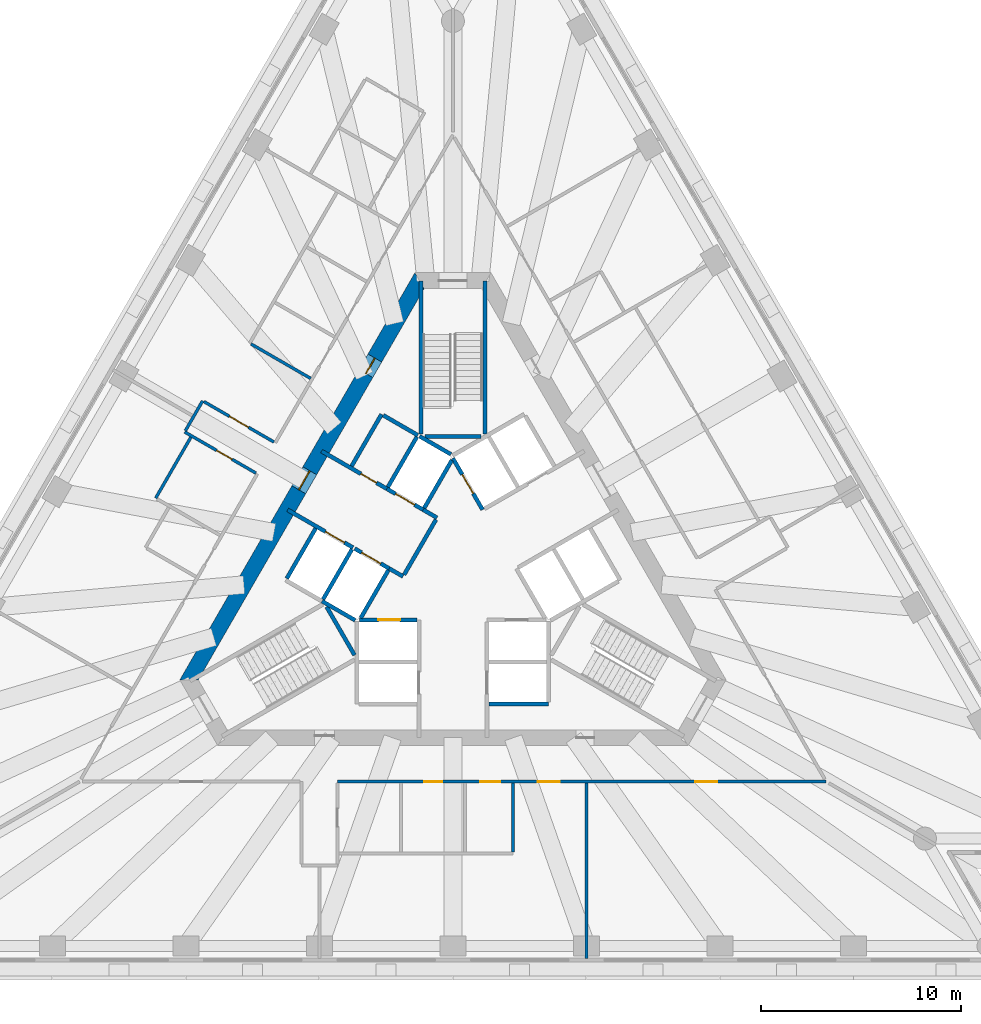
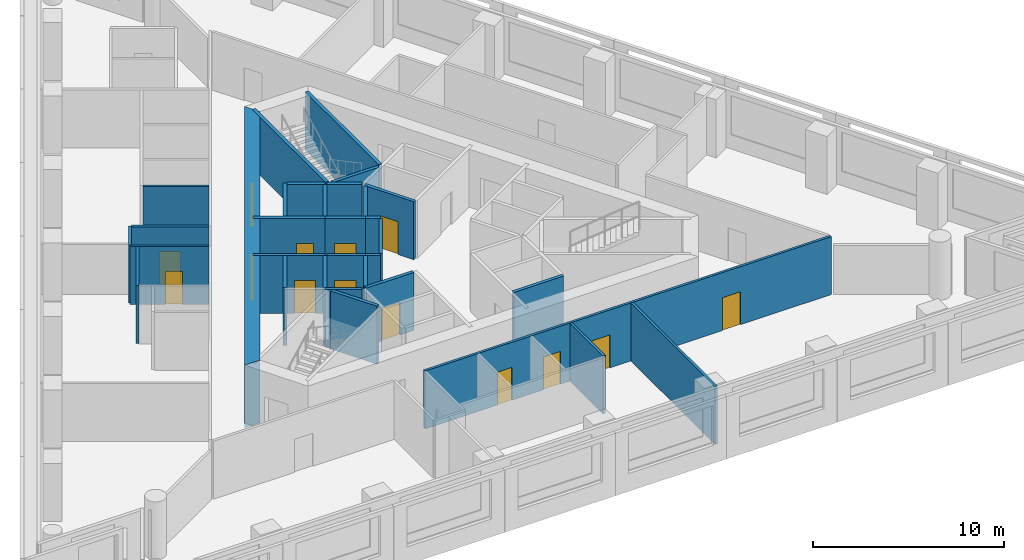
# One storey, part 4 of 9: 32 walls, 14 doors, 14 openings.
"""IFC4 building model written with IfcOpenShell, lengths in metres."""

from ifc_helpers import new_model, si_unit, direction, frame, frame_2d, origin, place, context, subcontext, project, spatial, polyline, rectangle, outline, extrude, material, layer, layer_set, type_object, element, fill, save


model = new_model("IFC4")

# Units and contexts
model_context = context("Model", 3, precision=1e-05, world=origin(), true_north=direction((0.0, 1.0)))
body_context = subcontext(model_context, "Body", "Model", "MODEL_VIEW")
ifc_project = project(units=[si_unit("LENGTHUNIT", "METRE"), si_unit("AREAUNIT", "SQUARE_METRE"), si_unit("VOLUMEUNIT", "CUBIC_METRE"), si_unit("PLANEANGLEUNIT", "RADIAN"), si_unit("MASSUNIT", "GRAM", prefix="KILO")], contexts=[model_context])

# Site, building, storey
site_placement = place(None, origin())
site = spatial("IfcSite", under=ifc_project, at=site_placement, CompositionType="ELEMENT")
building_placement = place(site_placement, origin())
building = spatial("IfcBuilding", under=site, at=building_placement, Name="Triada Interchange Tower", CompositionType="ELEMENT")
storey_placement = place(building_placement, frame((0.0, 0.0, 140.300048828125)))
storey = spatial("IfcBuildingStorey", under=building, at=storey_placement, Name="L32", CompositionType="ELEMENT", Elevation=140.300048828125)

# Walls
ifc_material_1 = material(Name="Concrete C30/37", Category="concrete")
ifc_layer_1 = layer(ifc_material_1, 0.199951171875)
ifc_layer_set_1 = layer_set([ifc_layer_1], Name="CORE WALL 200 EI 120")
wall_type_1 = type_object("IfcWallType", Name="CORE WALL 200 EI 120", PredefinedType="SOLIDWALL", material=ifc_layer_set_1)
wall_1_placement = place(storey_placement, frame((-8.325927734375, -0.6201171875, 0.0), z_axis=(0.0, 0.0, 1.0), x_axis=(0.500023687443, 0.866011727401, 0.0)))
element("IfcWall", 1, at=wall_1_placement, inside=storey, type_object=wall_type_1, Name="Wall L32 47", PredefinedType="SOLIDWALL", context=body_context, shape_type="SweptSolid", body=[
    extrude(rectangle(XDim=2.899658203125, YDim=0.199951171875, at=frame_2d((1.44970703125, 0.0))), origin(), (0.0, 0.0, 1.0), 3.699951171875),
])
wall_2_placement = place(storey_placement, frame((1.800048828125, -6.89990234375, 0.0), z_axis=(0.0, 0.0, 1.0), x_axis=(1.0, 0.0, 0.0)))
element("IfcWall", 2, at=wall_2_placement, inside=storey, type_object=wall_type_1, Name="Wall L32 52", PredefinedType="SOLIDWALL", context=body_context, shape_type="SweptSolid", body=[
    extrude(rectangle(XDim=3.0, YDim=0.199951171875, at=frame_2d((1.5, 0.0))), origin(), (0.0, 0.0, 1.0), 3.699951171875),
])

# Wall, opening, door
wall_3_placement = place(storey_placement, frame((-4.676025390625, -2.699951171875, 0.0), z_axis=(0.0, 0.0, 1.0), x_axis=(1.0, 0.0, 0.0)))
wall_3 = element("IfcWall", 3, at=wall_3_placement, inside=storey, type_object=wall_type_1, Name="Wall L32 54", PredefinedType="SOLIDWALL", context=body_context, shape_type="SweptSolid", body=[
    extrude(rectangle(XDim=2.873046875, YDim=0.199951171875, at=frame_2d((1.4365234375, 0.0))), origin(), (0.0, 0.0, 1.0), 3.699951171875),
])
opening_1_placement = place(wall_3_placement, frame((0.93701171875, 0.0, 0.0)))
opening_1 = element("IfcOpeningElement", 4, at=opening_1_placement, cuts=wall_3, Name="Opening LD-LR3", PredefinedType="OPENING", context=body_context, shape_type="SweptSolid", body=[
    extrude(rectangle(XDim=1.10009765625, YDim=2.10009765625, at=frame_2d((0.550048828125, 1.050048828125))), frame((0.0, 0.10986328125, 0.0), z_axis=(0.0, -1.0, 0.0), x_axis=(1.0, 0.0, 0.0)), (0.0, 0.0, 1.0), 0.219970703125),
])
ifc_material_2 = material(Name="Steel S235 door leaf", Category="steel")
door_type_1 = type_object("IfcDoorType", Name="LIFT LANDING DOOR 1100 EI 120", OperationType="SLIDING_TO_LEFT", PredefinedType="DOOR", material=ifc_material_2)
door_1_placement = place(opening_1_placement, origin())
door_1 = element("IfcDoor", 5, at=door_1_placement, inside=storey, type_object=door_type_1, Name="LR3 landing door L32", OperationType="SLIDING_TO_LEFT", OverallHeight=2.10009765625, OverallWidth=1.10009765625, PredefinedType="DOOR", context=body_context, shape_type="SweptSolid", body=[
    extrude(rectangle(XDim=1.10009765625, YDim=2.10009765625, at=frame_2d((0.550048828125, 1.050048828125))), frame((0.0, 0.02490234375, 0.0), z_axis=(0.0, -1.0, 0.0), x_axis=(1.0, 0.0, 0.0)), (0.0, 0.0, 1.0), 0.050048828125),
])
fill(opening_1, door_1)

wall_4_placement = place(storey_placement, frame((0.0, 5.39990234375, 0.0), z_axis=(0.0, 0.0, 1.0), x_axis=(0.500103862429, -0.865965430478, 0.0)))
wall_4 = element("IfcWall", 6, at=wall_4_placement, inside=storey, type_object=wall_type_1, Name="Wall L32 57", PredefinedType="SOLIDWALL", context=body_context, shape_type="SweptSolid", body=[
    extrude(rectangle(XDim=2.973388671875, YDim=0.199951171875, at=frame_2d((1.48681640625, 0.0))), origin(), (0.0, 0.0, 1.0), 3.699951171875),
])
opening_2_placement = place(wall_4_placement, frame((0.93701171875, 0.0, 0.0)))
opening_2 = element("IfcOpeningElement", 7, at=opening_2_placement, cuts=wall_4, Name="Opening LD-LR5", PredefinedType="OPENING", context=body_context, shape_type="SweptSolid", body=[
    extrude(rectangle(XDim=1.10009765625, YDim=2.10009765625, at=frame_2d((0.550048828125, 1.050048828125))), frame((0.0, 0.10986328125, 0.0), z_axis=(0.0, -1.0, 0.0), x_axis=(1.0, 0.0, 0.0)), (0.0, 0.0, 1.0), 0.219970703125),
])
door_2_placement = place(opening_2_placement, origin())
door_2 = element("IfcDoor", 8, at=door_2_placement, inside=storey, type_object=door_type_1, Name="LR5 landing door L32", OperationType="SLIDING_TO_LEFT", OverallHeight=2.10009765625, OverallWidth=1.10009765625, PredefinedType="DOOR", context=body_context, shape_type="SweptSolid", body=[
    extrude(rectangle(XDim=1.10009765625, YDim=2.10009765625, at=frame_2d((0.550048828125, 1.050048828125))), frame((0.0, 0.02490234375, 0.0), z_axis=(0.0, -1.0, 0.0), x_axis=(1.0, 0.0, 0.0)), (0.0, 0.0, 1.0), 0.050048828125),
])
fill(opening_2, door_2)

ifc_layer_2 = layer(ifc_material_1, 0.199951171875)
ifc_layer_set_2 = layer_set([ifc_layer_2], Name="CORE WALL 200 EI 180")
wall_type_2 = type_object("IfcWallType", Name="CORE WALL 200 EI 180", PredefinedType="SOLIDWALL", material=ifc_layer_set_2)
wall_5_placement = place(storey_placement, frame((-8.280029296875, 2.818115234375, 0.0), z_axis=(0.0, 0.0, 1.0), x_axis=(0.86600175068, -0.50004096614, 0.0)))
wall_5 = element("IfcWall", 9, at=wall_5_placement, inside=storey, type_object=wall_type_2, Name="Wall L32 68", PredefinedType="SOLIDWALL", context=body_context, shape_type="SweptSolid", body=[
    extrude(rectangle(XDim=3.781982421875, YDim=0.199951171875, at=frame_2d((1.89111328125, 0.0))), origin(), (0.0, 0.0, 1.0), 3.699951171875),
])
opening_3_placement = place(wall_5_placement, frame((2.179931640625, 0.0, 0.0)))
opening_3 = element("IfcOpeningElement", 10, at=opening_3_placement, cuts=wall_5, Name="Opening LD-SV1", PredefinedType="OPENING", context=body_context, shape_type="SweptSolid", body=[
    extrude(rectangle(XDim=1.10009765625, YDim=2.10009765625, at=frame_2d((0.550048828125, 1.050048828125))), frame((0.0, 0.10986328125, 0.0), z_axis=(0.0, -1.0, 0.0), x_axis=(1.0, 0.0, 0.0)), (0.0, 0.0, 1.0), 0.219970703125),
])
door_3_placement = place(opening_3_placement, origin())
door_3 = element("IfcDoor", 11, at=door_3_placement, inside=storey, type_object=door_type_1, Name="SV1 landing door L32", OperationType="SLIDING_TO_LEFT", OverallHeight=2.10009765625, OverallWidth=1.10009765625, PredefinedType="DOOR", context=body_context, shape_type="SweptSolid", body=[
    extrude(rectangle(XDim=1.10009765625, YDim=2.10009765625, at=frame_2d((0.550048828125, 1.050048828125))), frame((0.0, 0.02490234375, 0.0), z_axis=(0.0, -1.0, 0.0), x_axis=(1.0, 0.0, 0.0)), (0.0, 0.0, 1.0), 0.050048828125),
])
fill(opening_3, door_3)

# Wall
wall_6_placement = place(storey_placement, frame((-3.18798828125, -0.1220703125, 0.0), z_axis=(0.0, 0.0, 1.0), x_axis=(0.865705793592, -0.50055317294, 0.0)))
element("IfcWall", 12, at=wall_6_placement, inside=storey, type_object=wall_type_2, Name="Wall L32 69", PredefinedType="SOLIDWALL", context=body_context, shape_type="SweptSolid", body=[
    extrude(rectangle(XDim=0.796875, YDim=0.199951171875, at=frame_2d((0.3984375, 0.0))), origin(), (0.0, 0.0, 1.0), 3.699951171875),
])

# Wall, opening, door
wall_7_placement = place(storey_placement, frame((-6.580078125, 5.761962890625, 0.0), z_axis=(0.0, 0.0, 1.0), x_axis=(0.866029704776, -0.49999255039, 0.0)))
wall_7 = element("IfcWall", 13, at=wall_7_placement, inside=storey, type_object=wall_type_2, Name="Wall L32 70", PredefinedType="SOLIDWALL", context=body_context, shape_type="SweptSolid", body=[
    extrude(rectangle(XDim=3.78173828125, YDim=0.199951171875, at=frame_2d((1.890869140625, 0.0))), origin(), (0.0, 0.0, 1.0), 3.699951171875),
])
opening_4_placement = place(wall_7_placement, frame((2.279052734375, 0.0, 0.0)))
opening_4 = element("IfcOpeningElement", 14, at=opening_4_placement, cuts=wall_7, Name="Opening D32-10", PredefinedType="OPENING", context=body_context, shape_type="SweptSolid", body=[
    extrude(rectangle(XDim=0.89990234375, YDim=2.10009765625, at=frame_2d((0.449951171875, 1.050048828125))), frame((0.0, 0.10986328125, 0.0), z_axis=(0.0, -1.0, 0.0), x_axis=(1.0, 0.0, 0.0)), (0.0, 0.0, 1.0), 0.219970703125),
])
door_type_2 = type_object("IfcDoorType", Name="SERVICE DOOR 900 EI2 90-C5S200", OperationType="NOTDEFINED", PredefinedType="DOOR", material=ifc_material_2)
door_4_placement = place(opening_4_placement, origin())
door_4 = element("IfcDoor", 15, at=door_4_placement, inside=storey, type_object=door_type_2, Name="Door D32-10 L32", OperationType="SINGLE_SWING_LEFT", OverallHeight=2.10009765625, OverallWidth=0.89990234375, PredefinedType="DOOR", context=body_context, shape_type="SweptSolid", body=[
    extrude(rectangle(XDim=0.89990234375, YDim=2.10009765625, at=frame_2d((0.449951171875, 1.050048828125))), frame((0.0, 0.02490234375, 0.0), z_axis=(0.0, -1.0, 0.0), x_axis=(1.0, 0.0, 0.0)), (0.0, 0.0, 1.0), 0.050048828125),
])
fill(opening_4, door_4)

# Walls
wall_8_placement = place(storey_placement, frame((-1.488037109375, 2.822021484375, 0.0), z_axis=(0.0, 0.0, 1.0), x_axis=(0.866236612152, -0.499633997809, 0.0)))
element("IfcWall", 16, at=wall_8_placement, inside=storey, type_object=wall_type_2, Name="Wall L32 71", PredefinedType="SOLIDWALL", context=body_context, shape_type="SweptSolid", body=[
    extrude(rectangle(XDim=0.79638671875, YDim=0.199951171875, at=frame_2d((0.398193359375, 0.0))), origin(), (0.0, 0.0, 1.0), 3.699951171875),
])
wall_9_placement = place(storey_placement, frame((-5.075927734375, 5.009033203125, 0.0), z_axis=(0.0, 0.0, 1.0), x_axis=(0.50002537861, 0.866010750942, 0.0)))
element("IfcWall", 17, at=wall_9_placement, inside=storey, type_object=wall_type_2, Name="Wall L32 72", PredefinedType="SOLIDWALL", context=body_context, shape_type="SweptSolid", body=[
    extrude(rectangle(XDim=2.999755859375, YDim=0.199951171875, at=frame_2d((1.5, 0.0))), origin(), (0.0, 0.0, 1.0), 3.699951171875),
])
wall_10_placement = place(storey_placement, frame((-3.489013671875, 7.556884765625, 0.0), z_axis=(0.0, 0.0, 1.0), x_axis=(0.866010750942, -0.50002537861, 0.0)))
element("IfcWall", 18, at=wall_10_placement, inside=storey, type_object=wall_type_2, Name="Wall L32 73", PredefinedType="SOLIDWALL", context=body_context, shape_type="SweptSolid", body=[
    extrude(rectangle(XDim=2.0, YDim=0.199951171875, at=frame_2d((1.0, 0.0))), origin(), (0.0, 0.0, 1.0), 3.699951171875),
])
wall_11_placement = place(storey_placement, frame((-2.444091796875, -0.43310546875, 0.0), z_axis=(0.0, 0.0, 1.0), x_axis=(0.500035624827, 0.866004834804, 0.0)))
element("IfcWall", 19, at=wall_11_placement, inside=storey, type_object=wall_type_2, Name="Wall L32 74", PredefinedType="SOLIDWALL", context=body_context, shape_type="SweptSolid", body=[
    extrude(rectangle(XDim=3.194091796875, YDim=0.199951171875, at=frame_2d((1.59716796875, 0.0))), origin(), (0.0, 0.0, 1.0), 3.699951171875),
])
wall_12_placement = place(storey_placement, frame((-6.556884765625, -1.757080078125, 0.0), z_axis=(0.0, 0.0, 1.0), x_axis=(0.8659754619, -0.500086491905, 0.0)))
element("IfcWall", 20, at=wall_12_placement, inside=storey, type_object=wall_type_2, Name="Shaft wall FF1 L32 75", PredefinedType="SOLIDWALL", context=body_context, shape_type="SweptSolid", body=[
    extrude(rectangle(XDim=1.915771484375, YDim=0.199951171875, at=frame_2d((0.9580078125, 0.0))), origin(), (0.0, 0.0, 1.0), 3.699951171875),
])
wall_13_placement = place(storey_placement, frame((-6.507080078125, -1.669921875, 0.0), z_axis=(0.0, 0.0, 1.0), x_axis=(0.50012328804, 0.865954211699, 0.0)))
element("IfcWall", 21, at=wall_13_placement, inside=storey, type_object=wall_type_2, Name="Shaft wall FF1 L32 76", PredefinedType="SOLIDWALL", context=body_context, shape_type="SweptSolid", body=[
    extrude(rectangle(XDim=2.899658203125, YDim=0.199951171875, at=frame_2d((1.44970703125, 0.0))), origin(), (0.0, 0.0, 1.0), 3.699951171875),
])

# Wall, opening, door
wall_14_placement = place(storey_placement, frame((-4.919921875, 0.8779296875, 0.0), z_axis=(0.0, 0.0, 1.0), x_axis=(0.866010750942, -0.50002537861, 0.0)))
wall_14 = element("IfcWall", 22, at=wall_14_placement, inside=storey, type_object=wall_type_2, Name="Shaft wall FF1 L32 77", PredefinedType="SOLIDWALL", context=body_context, shape_type="SweptSolid", body=[
    extrude(rectangle(XDim=2.0, YDim=0.199951171875, at=frame_2d((1.0, 0.0))), origin(), (0.0, 0.0, 1.0), 3.699951171875),
])
opening_5_placement = place(wall_14_placement, frame((0.39990234375, 0.0, 0.0)))
opening_5 = element("IfcOpeningElement", 23, at=opening_5_placement, cuts=wall_14, Name="Opening LD-FF1", PredefinedType="OPENING", context=body_context, shape_type="SweptSolid", body=[
    extrude(rectangle(XDim=1.10009765625, YDim=2.10009765625, at=frame_2d((0.550048828125, 1.050048828125))), frame((0.0, 0.10986328125, 0.0), z_axis=(0.0, -1.0, 0.0), x_axis=(1.0, 0.0, 0.0)), (0.0, 0.0, 1.0), 0.219970703125),
])
door_5_placement = place(opening_5_placement, origin())
door_5 = element("IfcDoor", 24, at=door_5_placement, inside=storey, type_object=door_type_1, Name="FF1 landing door L32", OperationType="SLIDING_TO_LEFT", OverallHeight=2.10009765625, OverallWidth=1.10009765625, PredefinedType="DOOR", context=body_context, shape_type="SweptSolid", body=[
    extrude(rectangle(XDim=1.10009765625, YDim=2.10009765625, at=frame_2d((0.550048828125, 1.050048828125))), frame((0.0, 0.02490234375, 0.0), z_axis=(0.0, -1.0, 0.0), x_axis=(1.0, 0.0, 0.0)), (0.0, 0.0, 1.0), 0.050048828125),
])
fill(opening_5, door_5)

# Wall
wall_15_placement = place(storey_placement, frame((-4.618896484375, -2.60009765625, 0.0), z_axis=(0.0, 0.0, 1.0), x_axis=(0.50009492287, 0.865970593103, 0.0)))
element("IfcWall", 25, at=wall_15_placement, inside=storey, type_object=wall_type_2, Name="Shaft wall FF1 L32 78", PredefinedType="SOLIDWALL", context=body_context, shape_type="SweptSolid", body=[
    extrude(rectangle(XDim=2.76123046875, YDim=0.199951171875, at=frame_2d((1.380615234375, 0.0))), origin(), (0.0, 0.0, 1.0), 3.699951171875),
])

# Wall, opening, door
wall_16_placement = place(storey_placement, frame((-3.30908203125, 3.873046875, 0.0), z_axis=(0.0, 0.0, 1.0), x_axis=(0.866098583652, -0.499873227325, 0.0)))
wall_16 = element("IfcWall", 26, at=wall_16_placement, inside=storey, type_object=wall_type_2, Name="Shaft wall FF2 L32 79", PredefinedType="SOLIDWALL", context=body_context, shape_type="SweptSolid", body=[
    extrude(rectangle(XDim=2.1025390625, YDim=0.199951171875, at=frame_2d((1.05126953125, 0.0))), origin(), (0.0, 0.0, 1.0), 3.699951171875),
])
opening_6_placement = place(wall_16_placement, frame((0.501953125, 0.0, 0.0)))
opening_6 = element("IfcOpeningElement", 27, at=opening_6_placement, cuts=wall_16, Name="Opening LD-FF2", PredefinedType="OPENING", context=body_context, shape_type="SweptSolid", body=[
    extrude(rectangle(XDim=1.10009765625, YDim=2.10009765625, at=frame_2d((0.550048828125, 1.050048828125))), frame((0.0, 0.10986328125, 0.0), z_axis=(0.0, -1.0, 0.0), x_axis=(1.0, 0.0, 0.0)), (0.0, 0.0, 1.0), 0.219970703125),
])
door_6_placement = place(opening_6_placement, origin())
door_6 = element("IfcDoor", 28, at=door_6_placement, inside=storey, type_object=door_type_1, Name="FF2 landing door L32", OperationType="SLIDING_TO_LEFT", OverallHeight=2.10009765625, OverallWidth=1.10009765625, PredefinedType="DOOR", context=body_context, shape_type="SweptSolid", body=[
    extrude(rectangle(XDim=1.10009765625, YDim=2.10009765625, at=frame_2d((0.550048828125, 1.050048828125))), frame((0.0, 0.02490234375, 0.0), z_axis=(0.0, -1.0, 0.0), x_axis=(1.0, 0.0, 0.0)), (0.0, 0.0, 1.0), 0.050048828125),
])
fill(opening_6, door_6)

# Walls
wall_17_placement = place(storey_placement, frame((-3.257080078125, 3.958984375, 0.0), z_axis=(0.0, 0.0, 1.0), x_axis=(0.50012328804, 0.865954211699, 0.0)))
element("IfcWall", 29, at=wall_17_placement, inside=storey, type_object=wall_type_2, Name="Shaft wall FF2 L32 80", PredefinedType="SOLIDWALL", context=body_context, shape_type="SweptSolid", body=[
    extrude(rectangle(XDim=2.899658203125, YDim=0.199951171875, at=frame_2d((1.44970703125, 0.0))), origin(), (0.0, 0.0, 1.0), 3.699951171875),
])
wall_18_placement = place(storey_placement, frame((-1.669921875, 6.507080078125, 0.0), z_axis=(0.0, 0.0, 1.0), x_axis=(0.865941441609, -0.500145398563, 0.0)))
element("IfcWall", 30, at=wall_18_placement, inside=storey, type_object=wall_type_2, Name="Shaft wall FF2 L32 81", PredefinedType="SOLIDWALL", context=body_context, shape_type="SweptSolid", body=[
    extrude(rectangle(XDim=1.8154296875, YDim=0.199951171875, at=frame_2d((0.90771484375, 0.0))), origin(), (0.0, 0.0, 1.0), 3.699951171875),
])
wall_19_placement = place(storey_placement, frame((-1.43798828125, 2.908935546875, 0.0), z_axis=(0.0, 0.0, 1.0), x_axis=(0.499829630636, 0.866123744241, 0.0)))
element("IfcWall", 31, at=wall_19_placement, inside=storey, type_object=wall_type_2, Name="Shaft wall FF2 L32 82", PredefinedType="SOLIDWALL", context=body_context, shape_type="SweptSolid", body=[
    extrude(rectangle(XDim=2.7607421875, YDim=0.199951171875, at=frame_2d((1.38037109375, 0.0))), origin(), (0.0, 0.0, 1.0), 3.699951171875),
])
ifc_layer_3 = layer(ifc_material_1, 0.199951171875)
ifc_layer_set_3 = layer_set([ifc_layer_3], Name="CORE WALL 200 REI 240")
wall_type_3 = type_object("IfcWallType", Name="CORE WALL 200 REI 240", PredefinedType="SOLIDWALL", material=ifc_layer_set_3)
wall_20_placement = place(storey_placement, frame((-6.3291015625, -2.0380859375, 0.0), z_axis=(0.0, 0.0, 1.0), x_axis=(0.500200581029, -0.865909567298, 0.0)))
element("IfcWall", 32, at=wall_20_placement, inside=storey, type_object=wall_type_3, Name="Wall L32 84", PredefinedType="SOLIDWALL", context=body_context, shape_type="SweptSolid", body=[
    extrude(rectangle(XDim=2.799072265625, YDim=0.199951171875, at=frame_2d((1.3994140625, 0.0))), origin(), (0.0, 0.0, 1.0), 3.699951171875),
])
wall_21_placement = place(storey_placement, frame((1.60009765625, 6.614990234375, 0.0), z_axis=(0.0, 0.0, 1.0), x_axis=(0.0, 1.0, 0.0)))
element("IfcWall", 33, at=wall_21_placement, inside=storey, type_object=wall_type_3, Name="Wall L32 86", PredefinedType="SOLIDWALL", context=body_context, shape_type="SweptSolid", body=[
    extrude(rectangle(XDim=7.6650390625, YDim=0.199951171875, at=frame_2d((3.83251953125, 0.0))), origin(), (0.0, 0.0, 1.0), 3.699951171875),
])
wall_22_placement = place(storey_placement, frame((-1.39990234375, 6.5, 0.0), z_axis=(0.0, 0.0, 1.0), x_axis=(1.0, 0.0, 0.0)))
element("IfcWall", 34, at=wall_22_placement, inside=storey, type_object=wall_type_3, Name="Wall L32 87", PredefinedType="SOLIDWALL", context=body_context, shape_type="SweptSolid", body=[
    extrude(rectangle(XDim=2.7998046875, YDim=0.199951171875, at=frame_2d((1.39990234375, 0.0))), origin(), (0.0, 0.0, 1.0), 3.699951171875),
])
wall_23_placement = place(storey_placement, frame((-1.60009765625, 6.614990234375, 0.0), z_axis=(0.0, 0.0, 1.0), x_axis=(0.0, 1.0, 0.0)))
element("IfcWall", 35, at=wall_23_placement, inside=storey, type_object=wall_type_3, Name="Wall L32 88", PredefinedType="SOLIDWALL", context=body_context, shape_type="SweptSolid", body=[
    extrude(rectangle(XDim=7.6650390625, YDim=0.199951171875, at=frame_2d((3.83251953125, 0.0))), origin(), (0.0, 0.0, 1.0), 3.699951171875),
])

# Wall, openings, doors
ifc_material_3 = material(Name="Concrete C60/75", Category="concrete")
ifc_layer_4 = layer(ifc_material_3, 0.800048828125)
ifc_layer_set_4 = layer_set([ifc_layer_4], Name="Core wall B 800")
wall_type_4 = type_object("IfcWallType", Name="Core wall B 800", PredefinedType="SHEAR", material=ifc_layer_set_4)
wall_24_placement = place(storey_placement, frame((-1.674072265625, 14.300048828125, -0.300048828125), z_axis=(0.0, 0.0, 1.0), x_axis=(-0.499995765644, -0.866027848477, 0.0)))
wall_24 = element("IfcWall", 36, at=wall_24_placement, inside=storey, type_object=wall_type_4, Name="Core wall WB02 L32", PredefinedType="SHEAR", context=body_context, shape_type="SweptSolid", body=[
    extrude(outline(polyline([(-0.23095703125, -0.39990234375), (1.73193359375, -0.39990234375), (3.695068359375, -0.39990234375), (5.657958984375, -0.39990234375), (7.62109375, -0.39990234375), (9.583984375, -0.39990234375), (11.546875, -0.39990234375), (13.510009765625, -0.39990234375), (15.472900390625, -0.39990234375), (17.43603515625, -0.39990234375), (19.39892578125, -0.39990234375), (21.362060546875, -0.39990234375), (23.324951171875, -0.39990234375), (22.863037109375, 0.39990234375), (20.97705078125, 0.39990234375), (19.091064453125, 0.39990234375), (17.205078125, 0.39990234375), (15.319091796875, 0.39990234375), (13.43310546875, 0.39990234375), (11.546875, 0.39990234375), (9.660888671875, 0.39990234375), (7.77490234375, 0.39990234375), (5.888916015625, 0.39990234375), (4.0029296875, 0.39990234375), (2.116943359375, 0.39990234375), (0.23095703125, 0.39990234375), (-0.23095703125, -0.39990234375)])), origin(), (0.0, 0.0, 1.0), 4.0),
])
opening_7_placement = place(wall_24_placement, frame((10.9970703125, 0.0, 0.300048828125)))
opening_7 = element("IfcOpeningElement", 37, at=opening_7_placement, cuts=wall_24, Name="Opening D32-38", PredefinedType="OPENING", context=body_context, shape_type="SweptSolid", body=[
    extrude(rectangle(XDim=1.10009765625, YDim=2.10009765625, at=frame_2d((0.550048828125, 1.050048828125))), frame((0.0, 0.409912109375, 0.0), z_axis=(0.0, -1.0, 0.0), x_axis=(1.0, 0.0, 0.0)), (0.0, 0.0, 1.0), 0.820068359375),
])
opening_8_placement = place(wall_24_placement, frame((4.47412109375, 0.0, 0.300048828125)))
opening_8 = element("IfcOpeningElement", 38, at=opening_8_placement, cuts=wall_24, Name="Opening D32-40", PredefinedType="OPENING", context=body_context, shape_type="SweptSolid", body=[
    extrude(rectangle(XDim=0.89990234375, YDim=2.10009765625, at=frame_2d((0.449951171875, 1.050048828125))), frame((0.0, 0.409912109375, 0.0), z_axis=(0.0, -1.0, 0.0), x_axis=(1.0, 0.0, 0.0)), (0.0, 0.0, 1.0), 0.820068359375),
])
door_type_3 = type_object("IfcDoorType", Name="FIRE LOBBY DOOR 1100 EI2 90-C5S200", OperationType="NOTDEFINED", PredefinedType="DOOR", material=ifc_material_2)
door_7_placement = place(opening_7_placement, origin())
door_7 = element("IfcDoor", 39, at=door_7_placement, inside=storey, type_object=door_type_3, Name="Door D32-38 L32", OperationType="SINGLE_SWING_LEFT", OverallHeight=2.10009765625, OverallWidth=1.10009765625, PredefinedType="DOOR", context=body_context, shape_type="SweptSolid", body=[
    extrude(rectangle(XDim=1.10009765625, YDim=2.10009765625, at=frame_2d((0.550048828125, 1.050048828125))), frame((0.0, 0.02490234375, 0.0), z_axis=(0.0, -1.0, 0.0), x_axis=(1.0, 0.0, 0.0)), (0.0, 0.0, 1.0), 0.050048828125),
])
fill(opening_7, door_7)
door_type_4 = type_object("IfcDoorType", Name="SERVICE DOOR 900 EI2 45-C5S200", OperationType="NOTDEFINED", PredefinedType="DOOR", material=ifc_material_2)
door_8_placement = place(opening_8_placement, origin())
door_8 = element("IfcDoor", 40, at=door_8_placement, inside=storey, type_object=door_type_4, Name="Door D32-40 L32", OperationType="SINGLE_SWING_RIGHT", OverallHeight=2.10009765625, OverallWidth=0.89990234375, PredefinedType="DOOR", context=body_context, shape_type="SweptSolid", body=[
    extrude(rectangle(XDim=0.89990234375, YDim=2.10009765625, at=frame_2d((0.449951171875, 1.050048828125))), frame((0.0, 0.02490234375, 0.0), z_axis=(0.0, -1.0, 0.0), x_axis=(1.0, 0.0, 0.0)), (0.0, 0.0, 1.0), 0.050048828125),
])
fill(opening_8, door_8)

ifc_material_4 = material(Name="Gypsum board partition")
ifc_layer_5 = layer(ifc_material_4, 0.14990234375)
ifc_layer_set_5 = layer_set([ifc_layer_5], Name="PARTITION 150 EI 180")
wall_type_5 = type_object("IfcWallType", Name="PARTITION 150 EI 180", PredefinedType="PARTITIONING", material=ifc_layer_set_5)
wall_25_placement = place(storey_placement, frame((-5.7890625, -10.800048828125, 0.0), z_axis=(0.0, 0.0, 1.0), x_axis=(1.0, 0.0, 0.0)))
wall_25 = element("IfcWall", 41, at=wall_25_placement, inside=storey, type_object=wall_type_5, Name="Wall L32 6", PredefinedType="PARTITIONING", context=body_context, shape_type="SweptSolid", body=[
    extrude(rectangle(XDim=24.4951171875, YDim=0.14990234375, at=frame_2d((12.24755859375, 0.0))), origin(), (0.0, 0.0, 1.0), 3.699951171875),
])
opening_9_placement = place(wall_25_placement, frame((10.049072265625, 0.0, 0.0)))
opening_9 = element("IfcOpeningElement", 42, at=opening_9_placement, cuts=wall_25, Name="Opening D32-12", PredefinedType="OPENING", context=body_context, shape_type="SweptSolid", body=[
    extrude(rectangle(XDim=1.10009765625, YDim=2.10009765625, at=frame_2d((0.550048828125, 1.050048828125))), frame((0.0, 0.0849609375, 0.0), z_axis=(0.0, -1.0, 0.0), x_axis=(1.0, 0.0, 0.0)), (0.0, 0.0, 1.0), 0.169921875),
])
opening_10_placement = place(wall_25_placement, frame((4.34912109375, 0.0, 0.0)))
opening_10 = element("IfcOpeningElement", 43, at=opening_10_placement, cuts=wall_25, Name="Opening D32-14", PredefinedType="OPENING", context=body_context, shape_type="SweptSolid", body=[
    extrude(rectangle(XDim=0.89990234375, YDim=2.10009765625, at=frame_2d((0.449951171875, 1.050048828125))), frame((0.0, 0.0849609375, 0.0), z_axis=(0.0, -1.0, 0.0), x_axis=(1.0, 0.0, 0.0)), (0.0, 0.0, 1.0), 0.169921875),
])
opening_11_placement = place(wall_25_placement, frame((7.14892578125, 0.0, 0.0)))
opening_11 = element("IfcOpeningElement", 44, at=opening_11_placement, cuts=wall_25, Name="Opening D32-15", PredefinedType="OPENING", context=body_context, shape_type="SweptSolid", body=[
    extrude(rectangle(XDim=1.0, YDim=2.10009765625, at=frame_2d((0.5, 1.050048828125))), frame((0.0, 0.0849609375, 0.0), z_axis=(0.0, -1.0, 0.0), x_axis=(1.0, 0.0, 0.0)), (0.0, 0.0, 1.0), 0.169921875),
])
opening_12_placement = place(wall_25_placement, frame((17.928955078125, 0.0, 0.0)))
opening_12 = element("IfcOpeningElement", 45, at=opening_12_placement, cuts=wall_25, Name="Opening D32-16", PredefinedType="OPENING", context=body_context, shape_type="SweptSolid", body=[
    extrude(rectangle(XDim=1.10009765625, YDim=2.10009765625, at=frame_2d((0.550048828125, 1.050048828125))), frame((0.0, 0.0849609375, 0.0), z_axis=(0.0, -1.0, 0.0), x_axis=(1.0, 0.0, 0.0)), (0.0, 0.0, 1.0), 0.169921875),
])
door_type_5 = type_object("IfcDoorType", Name="ROOM DOOR 1000 EI2 90-C5S200", OperationType="NOTDEFINED", PredefinedType="DOOR", material=ifc_material_2)
door_9_placement = place(opening_11_placement, origin())
door_9 = element("IfcDoor", 46, at=door_9_placement, inside=storey, type_object=door_type_5, Name="Door D32-15 L32", OperationType="SINGLE_SWING_RIGHT", OverallHeight=2.10009765625, OverallWidth=1.0, PredefinedType="DOOR", context=body_context, shape_type="SweptSolid", body=[
    extrude(rectangle(XDim=1.0, YDim=2.10009765625, at=frame_2d((0.5, 1.050048828125))), frame((0.0, 0.02490234375, 0.0), z_axis=(0.0, -1.0, 0.0), x_axis=(1.0, 0.0, 0.0)), (0.0, 0.0, 1.0), 0.050048828125),
])
fill(opening_11, door_9)
door_type_6 = type_object("IfcDoorType", Name="ROOM DOOR 900 EI2 90-C5S200", OperationType="NOTDEFINED", PredefinedType="DOOR", material=ifc_material_2)
door_10_placement = place(opening_10_placement, origin())
door_10 = element("IfcDoor", 47, at=door_10_placement, inside=storey, type_object=door_type_6, Name="Door D32-14 L32", OperationType="SINGLE_SWING_RIGHT", OverallHeight=2.10009765625, OverallWidth=0.89990234375, PredefinedType="DOOR", context=body_context, shape_type="SweptSolid", body=[
    extrude(rectangle(XDim=0.89990234375, YDim=2.10009765625, at=frame_2d((0.449951171875, 1.050048828125))), frame((0.0, 0.02490234375, 0.0), z_axis=(0.0, -1.0, 0.0), x_axis=(1.0, 0.0, 0.0)), (0.0, 0.0, 1.0), 0.050048828125),
])
fill(opening_10, door_10)
door_type_7 = type_object("IfcDoorType", Name="TENANCY ENTRANCE DOOR 1100 EI2 90-C5S200", OperationType="NOTDEFINED", PredefinedType="DOOR", material=ifc_material_2)
door_11_placement = place(opening_9_placement, origin())
door_11 = element("IfcDoor", 48, at=door_11_placement, inside=storey, type_object=door_type_7, Name="Door D32-12 L32", OperationType="SINGLE_SWING_LEFT", OverallHeight=2.10009765625, OverallWidth=1.10009765625, PredefinedType="DOOR", context=body_context, shape_type="SweptSolid", body=[
    extrude(rectangle(XDim=1.10009765625, YDim=2.10009765625, at=frame_2d((0.550048828125, 1.050048828125))), frame((0.0, 0.02490234375, 0.0), z_axis=(0.0, -1.0, 0.0), x_axis=(1.0, 0.0, 0.0)), (0.0, 0.0, 1.0), 0.050048828125),
])
fill(opening_9, door_11)
door_12_placement = place(opening_12_placement, origin())
door_12 = element("IfcDoor", 49, at=door_12_placement, inside=storey, type_object=door_type_7, Name="Door D32-16 L32", OperationType="SINGLE_SWING_LEFT", OverallHeight=2.10009765625, OverallWidth=1.10009765625, PredefinedType="DOOR", context=body_context, shape_type="SweptSolid", body=[
    extrude(rectangle(XDim=1.10009765625, YDim=2.10009765625, at=frame_2d((0.550048828125, 1.050048828125))), frame((0.0, 0.02490234375, 0.0), z_axis=(0.0, -1.0, 0.0), x_axis=(1.0, 0.0, 0.0)), (0.0, 0.0, 1.0), 0.050048828125),
])
fill(opening_12, door_12)

# Wall
wall_26_placement = place(storey_placement, frame((-14.89404296875, 3.403076171875, 0.0), z_axis=(0.0, 0.0, 1.0), x_axis=(0.500064136673, 0.865988371292, 0.0)))
element("IfcWall", 50, at=wall_26_placement, inside=storey, type_object=wall_type_5, Name="Wall L32 11", PredefinedType="PARTITIONING", context=body_context, shape_type="SweptSolid", body=[
    extrude(rectangle(XDim=3.525390625, YDim=0.14990234375, at=frame_2d((1.7626953125, 0.0))), origin(), (0.0, 0.0, 1.0), 3.699951171875),
])

# Wall, opening, door
wall_27_placement = place(storey_placement, frame((-13.43994140625, 6.720947265625, 0.0), z_axis=(0.0, 0.0, 1.0), x_axis=(0.865997263264, -0.500048737644, 0.0)))
wall_27 = element("IfcWall", 51, at=wall_27_placement, inside=storey, type_object=wall_type_5, Name="Wall L32 15", PredefinedType="PARTITIONING", context=body_context, shape_type="SweptSolid", body=[
    extrude(rectangle(XDim=4.12353515625, YDim=0.14990234375, at=frame_2d((2.061767578125, 0.0))), origin(), (0.0, 0.0, 1.0), 3.699951171875),
])
opening_13_placement = place(wall_27_placement, frame((1.85009765625, 0.0, 0.0)))
opening_13 = element("IfcOpeningElement", 52, at=opening_13_placement, cuts=wall_27, Name="Opening D32-31", PredefinedType="OPENING", context=body_context, shape_type="SweptSolid", body=[
    extrude(rectangle(XDim=0.89990234375, YDim=2.10009765625, at=frame_2d((0.449951171875, 1.050048828125))), frame((0.0, 0.0849609375, 0.0), z_axis=(0.0, -1.0, 0.0), x_axis=(1.0, 0.0, 0.0)), (0.0, 0.0, 1.0), 0.169921875),
])
door_13_placement = place(opening_13_placement, origin())
door_13 = element("IfcDoor", 53, at=door_13_placement, inside=storey, type_object=door_type_6, Name="Door D32-31 L32", OperationType="SINGLE_SWING_LEFT", OverallHeight=2.10009765625, OverallWidth=0.89990234375, PredefinedType="DOOR", context=body_context, shape_type="SweptSolid", body=[
    extrude(rectangle(XDim=0.89990234375, YDim=2.10009765625, at=frame_2d((0.449951171875, 1.050048828125))), frame((0.0, 0.02490234375, 0.0), z_axis=(0.0, -1.0, 0.0), x_axis=(1.0, 0.0, 0.0)), (0.0, 0.0, 1.0), 0.050048828125),
])
fill(opening_13, door_13)

# Wall
wall_28_placement = place(storey_placement, frame((-13.403076171875, 6.785888671875, 0.0), z_axis=(0.0, 0.0, 1.0), x_axis=(0.500171514983, 0.865926356915, 0.0)))
element("IfcWall", 54, at=wall_28_placement, inside=storey, type_object=wall_type_5, Name="Wall L32 16", PredefinedType="PARTITIONING", context=body_context, shape_type="SweptSolid", body=[
    extrude(rectangle(XDim=1.7255859375, YDim=0.14990234375, at=frame_2d((0.86279296875, 0.0))), origin(), (0.0, 0.0, 1.0), 3.699951171875),
])

# Wall, opening, door
wall_29_placement = place(storey_placement, frame((-12.47509765625, 8.241943359375, 0.0), z_axis=(0.0, 0.0, 1.0), x_axis=(0.866060059865, -0.499939969103, 0.0)))
wall_29 = element("IfcWall", 55, at=wall_29_placement, inside=storey, type_object=wall_type_5, Name="Wall L32 17", PredefinedType="PARTITIONING", context=body_context, shape_type="SweptSolid", body=[
    extrude(rectangle(XDim=4.04833984375, YDim=0.14990234375, at=frame_2d((2.024169921875, 0.0))), origin(), (0.0, 0.0, 1.0), 3.699951171875),
])
opening_14_placement = place(wall_29_placement, frame((1.47509765625, 0.0, 0.0)))
opening_14 = element("IfcOpeningElement", 56, at=opening_14_placement, cuts=wall_29, Name="Opening D32-26", PredefinedType="OPENING", context=body_context, shape_type="SweptSolid", body=[
    extrude(rectangle(XDim=1.10009765625, YDim=2.10009765625, at=frame_2d((0.550048828125, 1.050048828125))), frame((0.0, 0.0849609375, 0.0), z_axis=(0.0, -1.0, 0.0), x_axis=(1.0, 0.0, 0.0)), (0.0, 0.0, 1.0), 0.169921875),
])
door_14_placement = place(opening_14_placement, origin())
door_14 = element("IfcDoor", 57, at=door_14_placement, inside=storey, type_object=door_type_7, Name="Door D32-26 L32", OperationType="SINGLE_SWING_LEFT", OverallHeight=2.10009765625, OverallWidth=1.10009765625, PredefinedType="DOOR", context=body_context, shape_type="SweptSolid", body=[
    extrude(rectangle(XDim=1.10009765625, YDim=2.10009765625, at=frame_2d((0.550048828125, 1.050048828125))), frame((0.0, 0.02490234375, 0.0), z_axis=(0.0, -1.0, 0.0), x_axis=(1.0, 0.0, 0.0)), (0.0, 0.0, 1.0), 0.050048828125),
])
fill(opening_14, door_14)

# Walls
wall_30_placement = place(storey_placement, frame((-10.115966796875, 11.12890625, 0.0), z_axis=(0.0, 0.0, 1.0), x_axis=(0.866061862632, -0.499936846106, 0.0)))
element("IfcWall", 58, at=wall_30_placement, inside=storey, type_object=wall_type_5, Name="Wall L32 20", PredefinedType="PARTITIONING", context=body_context, shape_type="SweptSolid", body=[
    extrude(rectangle(XDim=3.4501953125, YDim=0.14990234375, at=frame_2d((1.72509765625, 0.0))), origin(), (0.0, 0.0, 1.0), 3.699951171875),
])
wall_31_placement = place(storey_placement, frame((3.010009765625, -14.324951171875, 0.0), z_axis=(0.0, 0.0, 1.0), x_axis=(0.0, 1.0, 0.0)))
element("IfcWall", 59, at=wall_31_placement, inside=storey, type_object=wall_type_5, Name="Wall L32 30", PredefinedType="PARTITIONING", context=body_context, shape_type="SweptSolid", body=[
    extrude(rectangle(XDim=3.449951171875, YDim=0.14990234375, at=frame_2d((1.72509765625, 0.0))), origin(), (0.0, 0.0, 1.0), 3.699951171875),
])
wall_32_placement = place(storey_placement, frame((6.68994140625, -19.658935546875, 0.0), z_axis=(0.0, 0.0, 1.0), x_axis=(0.0, 1.0, 0.0)))
element("IfcWall", 60, at=wall_32_placement, inside=storey, type_object=wall_type_5, Name="Wall L32 38", PredefinedType="PARTITIONING", context=body_context, shape_type="SweptSolid", body=[
    extrude(rectangle(XDim=8.783935546875, YDim=0.14990234375, at=frame_2d((4.39208984375, 0.0))), origin(), (0.0, 0.0, 1.0), 3.699951171875),
])

save(model, "model.ifc")
